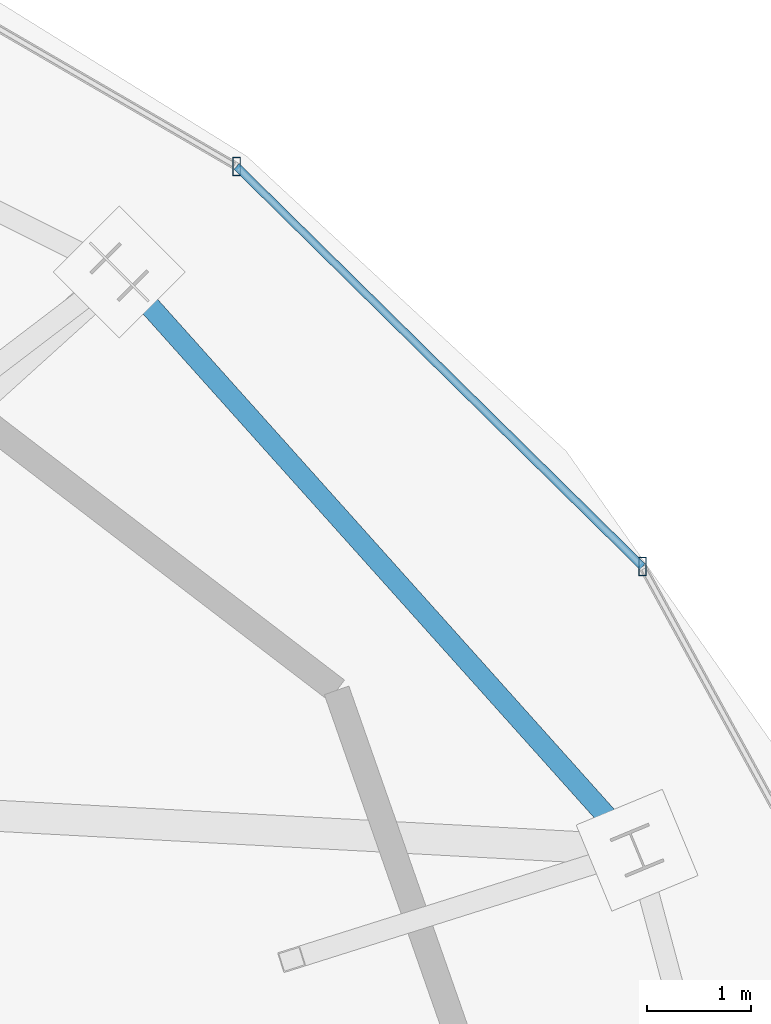
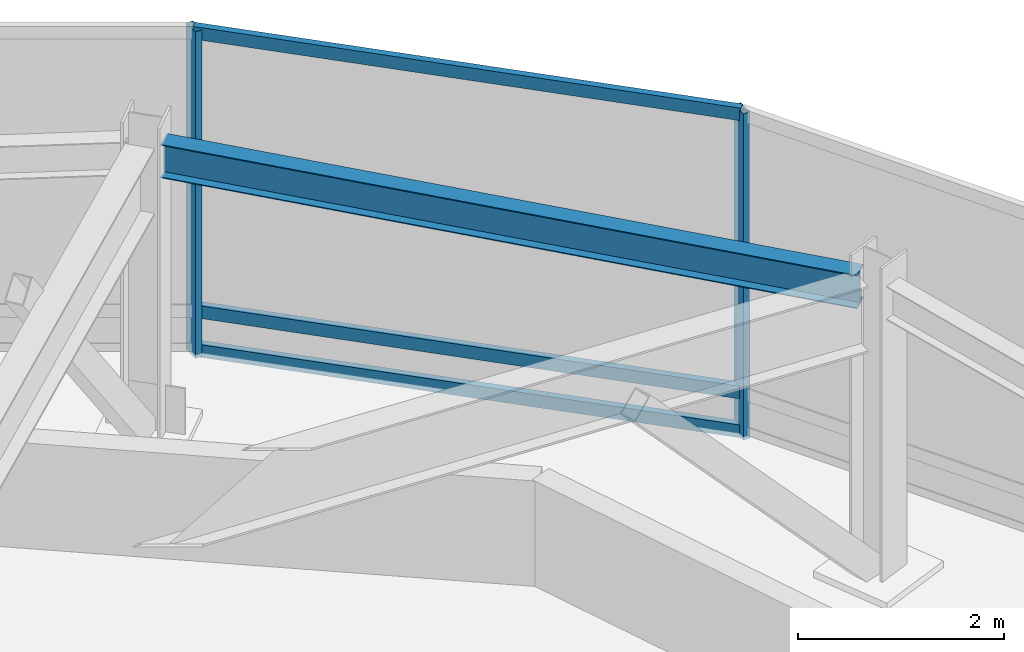
# One storey, part 16 of 28: 5 members, 1 beam, 1 element without a shape of its own.
"""IFC4 building model written with IfcOpenShell, lengths in metres."""

from ifc_helpers import new_model, si_unit, direction, frame, origin, origin_2d, place, context, subcontext, project, spatial, hollow_rectangle, i_section, extrude, material, material_profile, profile_set, type_object, element, aggregate, save


model = new_model("IFC4")

# Units and contexts
model_context = context("Model", 3, precision=1e-05, world=origin(), true_north=direction((0.0, 1.0)))
body_context = subcontext(model_context, "Body", "Model", "MODEL_VIEW")
ifc_project = project(units=[si_unit("LENGTHUNIT", "METRE"), si_unit("AREAUNIT", "SQUARE_METRE"), si_unit("VOLUMEUNIT", "CUBIC_METRE"), si_unit("PLANEANGLEUNIT", "RADIAN"), si_unit("MASSUNIT", "GRAM", prefix="KILO")], contexts=[model_context])

# Site, building, storey
site_placement = place(None, origin())
site = spatial("IfcSite", under=ifc_project, at=site_placement, CompositionType="ELEMENT")
building_placement = place(site_placement, origin())
building = spatial("IfcBuilding", under=site, at=building_placement, Name="Vorneva Point Tower", CompositionType="ELEMENT")
storey_placement = place(building_placement, frame((0.0, 0.0, 295.39990234375)))
storey = spatial("IfcBuildingStorey", under=building, at=storey_placement, Name="C01", CompositionType="ELEMENT", Elevation=295.39990234375)

# Beam
ifc_material_1 = material(Name="Steel S355", Category="steel")
ifc_material_profile_1 = material_profile(ifc_material_1, i_section(OverallWidth=0.198974609375, OverallDepth=0.39599609375, WebThickness=0.007080078125, FlangeThickness=0.010986328125, at=origin_2d()), Name="40B1")
ifc_profile_set_1 = profile_set([ifc_material_profile_1], Name="Steel S355")
beam_type = type_object("IfcBeamType", Name="BM-SPN-40B1", PredefinedType="SPANDREL", material=ifc_profile_set_1)
beam_placement = place(storey_placement, frame((59.172119140625, 32.719970703125, 3.35205078125), z_axis=(-0.66710049095, 0.744967740895, 0.0), x_axis=(-0.744967740895, -0.66710049095, 0.0)))
element("IfcBeam", 1, at=beam_placement, inside=storey, type_object=beam_type, Name="C01 Perimeter Spandrel Ring Beam 02", PredefinedType="SPANDREL", context=body_context, shape_type="SweptSolid", body=[
    extrude(i_section(OverallWidth=0.198974609375, OverallDepth=0.39599609375, WebThickness=0.007080078125, FlangeThickness=0.010986328125, at=origin_2d()), origin(), (0.0, 0.0, 1.0), 7.120361328125),
])

# Curtain wall, members
ifc_material_2 = material(Name="Pale anodised aluminium", Category="aluminium")
curtain_wall_type = type_object("IfcCurtainWallType", Name="CW-CRN-SYS", PredefinedType="NOTDEFINED", material=ifc_material_2)
curtain_wall_placement = place(storey_placement, origin())
curtain_wall = element("IfcCurtainWall", 2, at=curtain_wall_placement, inside=storey, type_object=curtain_wall_type, Name="C01 Unitised Curtain Wall CW-C01-Q1", PredefinedType="NOTDEFINED")
ifc_material_profile_2 = material_profile(ifc_material_2, hollow_rectangle(XDim=0.074951171875, YDim=0.179931640625, WallThickness=0.00390625, at=origin_2d()), Name="AL-MUL 180x75x4")
ifc_profile_set_2 = profile_set([ifc_material_profile_2], Name="Pale anodised aluminium")
member_type_1 = type_object("IfcMemberType", Name="CW-MUL-180", PredefinedType="MULLION", material=ifc_profile_set_2)
member_1_placement = place(storey_placement, frame((59.347412109375, 35.320068359375, -0.039794921875), z_axis=(0.0, 0.0, 1.0), x_axis=(1.0, 0.0, 0.0)))
member_1 = element("IfcMember", 3, at=member_1_placement, type_object=member_type_1, Name="CW-C01-Q1 Mullion 03", PredefinedType="MULLION", context=body_context, shape_type="SweptSolid", body=[
    extrude(hollow_rectangle(XDim=0.074951171875, YDim=0.179931640625, WallThickness=0.00390625, at=origin_2d()), origin(), (0.0, 0.0, 1.0), 3.869873046875),
])
member_2_placement = place(storey_placement, frame((55.43017578125, 39.180419921875, -0.039794921875), z_axis=(0.0, 0.0, 1.0), x_axis=(1.0, 0.0, 0.0)))
member_2 = element("IfcMember", 4, at=member_2_placement, type_object=member_type_1, Name="CW-C01-Q1 Mullion 04", PredefinedType="MULLION", context=body_context, shape_type="SweptSolid", body=[
    extrude(hollow_rectangle(XDim=0.074951171875, YDim=0.179931640625, WallThickness=0.00390625, at=origin_2d()), origin(), (0.0, 0.0, 1.0), 3.869873046875),
])
ifc_material_profile_3 = material_profile(ifc_material_2, hollow_rectangle(XDim=0.074951171875, YDim=0.14990234375, WallThickness=0.00390625, at=origin_2d()), Name="AL-TRN 150x75x4")
ifc_profile_set_3 = profile_set([ifc_material_profile_3], Name="Pale anodised aluminium")
member_type_2 = type_object("IfcMemberType", Name="CW-TRN-150", PredefinedType="USERDEFINED", material=ifc_profile_set_3)
member_3_placement = place(storey_placement, frame((59.347412109375, 35.320068359375, 0.02001953125), z_axis=(-0.712259463198, 0.701916274982, 0.0), x_axis=(-0.701916274982, -0.712259463198, 0.0)))
member_3 = element("IfcMember", 5, at=member_3_placement, type_object=member_type_2, Name="CW-C01-Q1 Transom 03.1", ObjectType="TRANSOM", PredefinedType="USERDEFINED", context=body_context, shape_type="SweptSolid", body=[
    extrude(hollow_rectangle(XDim=0.074951171875, YDim=0.14990234375, WallThickness=0.00390625, at=origin_2d()), origin(), (0.0, 0.0, 1.0), 5.499755859375),
])
member_4_placement = place(storey_placement, frame((59.347412109375, 35.320068359375, 0.47998046875), z_axis=(-0.712259463198, 0.701916274982, 0.0), x_axis=(-0.701916274982, -0.712259463198, 0.0)))
member_4 = element("IfcMember", 6, at=member_4_placement, type_object=member_type_2, Name="CW-C01-Q1 Transom 03.2", ObjectType="TRANSOM", PredefinedType="USERDEFINED", context=body_context, shape_type="SweptSolid", body=[
    extrude(hollow_rectangle(XDim=0.074951171875, YDim=0.14990234375, WallThickness=0.00390625, at=origin_2d()), origin(), (0.0, 0.0, 1.0), 5.499755859375),
])
member_5_placement = place(storey_placement, frame((59.347412109375, 35.320068359375, 3.780029296875), z_axis=(-0.712259463198, 0.701916274982, 0.0), x_axis=(-0.701916274982, -0.712259463198, 0.0)))
member_5 = element("IfcMember", 7, at=member_5_placement, type_object=member_type_2, Name="CW-C01-Q1 Transom 03.3", ObjectType="TRANSOM", PredefinedType="USERDEFINED", context=body_context, shape_type="SweptSolid", body=[
    extrude(hollow_rectangle(XDim=0.074951171875, YDim=0.14990234375, WallThickness=0.00390625, at=origin_2d()), origin(), (0.0, 0.0, 1.0), 5.499755859375),
])
aggregate(curtain_wall, [member_1, member_2, member_3, member_4, member_5])

save(model, "model.ifc")
